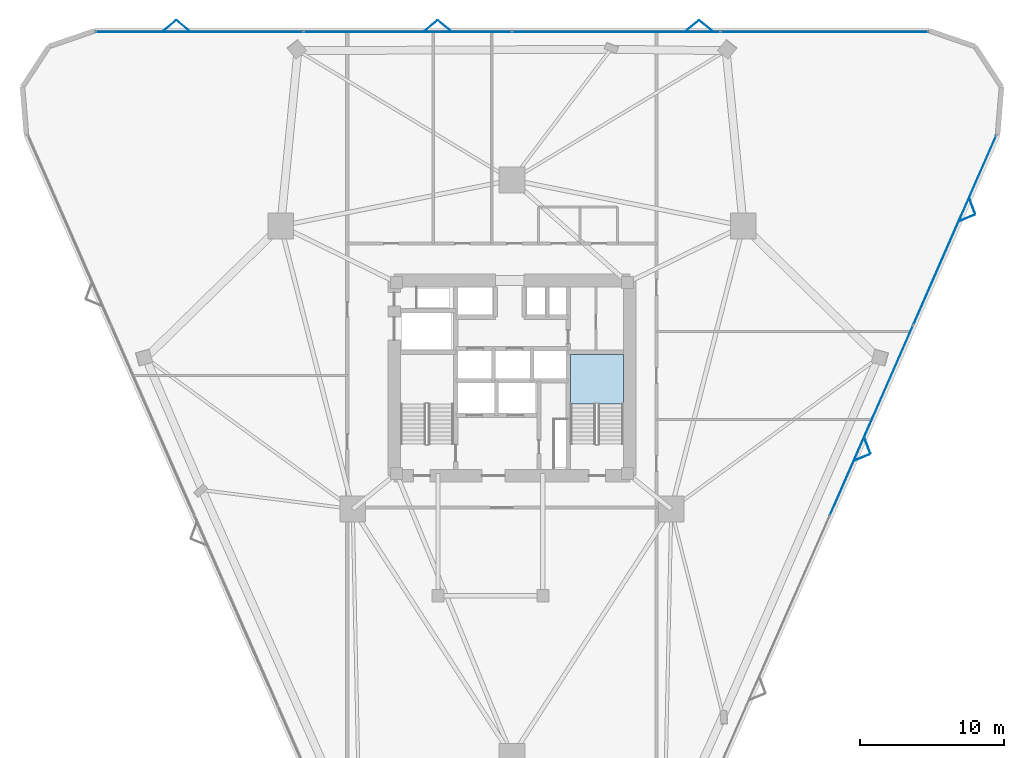
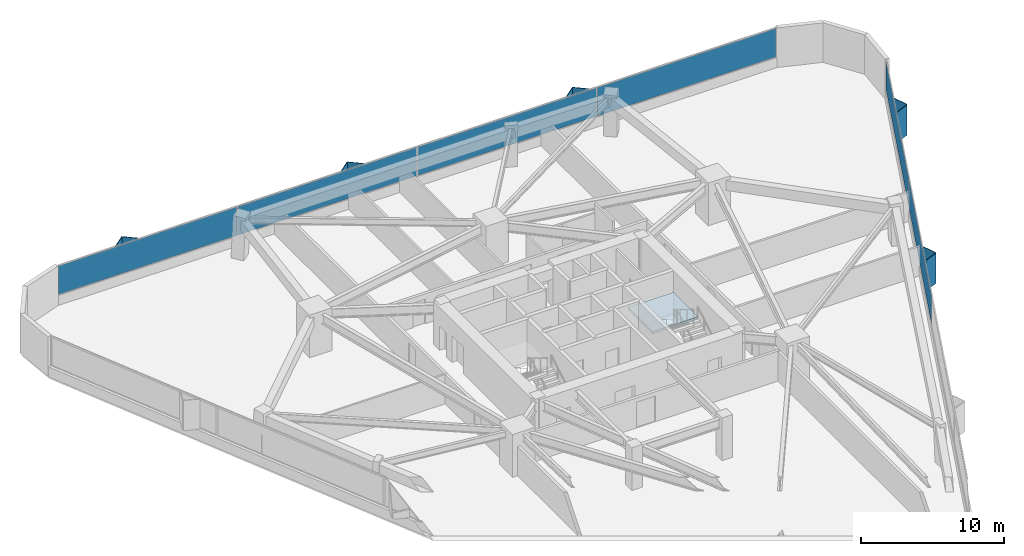
# One storey, part 16 of 20: 16 plates, 1 slab, 3 elements without a shape of their own.
"""IFC4 building model written with IfcOpenShell, lengths in metres."""

from ifc_helpers import new_model, si_unit, direction, frame, origin, origin_2d, place, context, subcontext, project, spatial, polyline, rectangle, outline, extrude, material, layer, layer_set, type_object, element, aggregate, save


model = new_model("IFC4")

# Units and contexts
model_context = context("Model", 3, precision=1e-05, world=origin(), true_north=direction((0.0, 1.0)))
body_context = subcontext(model_context, "Body", "Model", "MODEL_VIEW")
ifc_project = project(units=[si_unit("LENGTHUNIT", "METRE"), si_unit("AREAUNIT", "SQUARE_METRE"), si_unit("VOLUMEUNIT", "CUBIC_METRE"), si_unit("PLANEANGLEUNIT", "RADIAN"), si_unit("MASSUNIT", "GRAM", prefix="KILO")], contexts=[model_context])

# Site, building, storey
site_placement = place(None, origin())
site = spatial("IfcSite", under=ifc_project, at=site_placement, CompositionType="ELEMENT")
building_placement = place(site_placement, origin())
building = spatial("IfcBuilding", under=site, at=building_placement, Name="Talyreon Biosciences Tower", CompositionType="ELEMENT")
storey_placement = place(building_placement, frame((0.0, 0.0, 41.050048828125)))
storey = spatial("IfcBuildingStorey", under=building, at=storey_placement, Name="L10", CompositionType="ELEMENT", Elevation=41.050048828125)

# Curtain wall, plates
ifc_material_1 = material(Name="Thermally broken aluminium and low-E glazing", Category="aluminium")
ifc_layer_1 = layer(ifc_material_1, 0.195068359375)
ifc_layer_set_1 = layer_set([ifc_layer_1], Name="Thermally broken aluminium and low-E glazing")
curtain_wall_type = type_object("IfcCurtainWallType", Name="CurtainWall_Zone1WetLab", PredefinedType="NOTDEFINED", material=ifc_layer_set_1)
curtain_wall_1_placement = place(storey_placement, origin())
curtain_wall_1 = element("IfcCurtainWall", 1, at=curtain_wall_1_placement, inside=storey, type_object=curtain_wall_type, Name="L10 Unitised Curtain Wall FCW-L10-04", PredefinedType="NOTDEFINED")
ifc_material_2 = material(Name="Triple-silver low-E insulated glazing", Category="glass")
ifc_layer_2 = layer(ifc_material_2, 0.031982421875)
ifc_layer_set_2 = layer_set([ifc_layer_2], Name="Triple-silver low-E insulated glazing")
plate_type_1 = type_object("IfcPlateType", Name="CWGlazingPanel_32", PredefinedType="CURTAIN_PANEL", material=ifc_layer_set_2)
plate_1_placement = place(storey_placement, frame((44.231689453125, 92.107421875, 0.875), z_axis=(0.0, 0.0, 1.0), x_axis=(1.0, 0.0, 0.0)))
plate_1 = element("IfcPlate", 2, at=plate_1_placement, type_object=plate_type_1, Name="CW2 panel 1.1", PredefinedType="CURTAIN_PANEL", context=body_context, shape_type="SweptSolid", body=[
    extrude(rectangle(XDim=14.425537109375, YDim=0.031982421875, at=origin_2d()), origin(), (0.0, 0.0, 1.0), 2.43505859375),
])
plate_2_placement = place(storey_placement, frame((58.738525390625, 92.107421875, 0.875), z_axis=(0.0, 0.0, 1.0), x_axis=(1.0, 0.0, 0.0)))
plate_2 = element("IfcPlate", 3, at=plate_2_placement, type_object=plate_type_1, Name="CW2 panel 2.1", PredefinedType="CURTAIN_PANEL", context=body_context, shape_type="SweptSolid", body=[
    extrude(rectangle(XDim=14.4580078125, YDim=0.031982421875, at=origin_2d()), origin(), (0.0, 0.0, 1.0), 2.43505859375),
])
plate_3_placement = place(storey_placement, frame((73.261474609375, 92.107421875, 0.875), z_axis=(0.0, 0.0, 1.0), x_axis=(1.0, 0.0, 0.0)))
plate_3 = element("IfcPlate", 4, at=plate_3_placement, type_object=plate_type_1, Name="CW2 panel 3.1", PredefinedType="CURTAIN_PANEL", context=body_context, shape_type="SweptSolid", body=[
    extrude(rectangle(XDim=14.4580078125, YDim=0.031982421875, at=origin_2d()), origin(), (0.0, 0.0, 1.0), 2.43505859375),
])
plate_4_placement = place(storey_placement, frame((87.768310546875, 92.107421875, 0.875), z_axis=(0.0, 0.0, 1.0), x_axis=(1.0, 0.0, 0.0)))
plate_4 = element("IfcPlate", 5, at=plate_4_placement, type_object=plate_type_1, Name="CW2 panel 4.1", PredefinedType="CURTAIN_PANEL", context=body_context, shape_type="SweptSolid", body=[
    extrude(rectangle(XDim=14.425537109375, YDim=0.031982421875, at=origin_2d()), origin(), (0.0, 0.0, 1.0), 2.43505859375),
])
aggregate(curtain_wall_1, [plate_1, plate_2, plate_3, plate_4])

curtain_wall_2_placement = place(storey_placement, origin())
curtain_wall_2 = element("IfcCurtainWall", 6, at=curtain_wall_2_placement, inside=storey, type_object=curtain_wall_type, Name="L10 Unitised Curtain Wall FCW-L10-08", PredefinedType="NOTDEFINED")
plate_5_placement = place(storey_placement, frame((96.82470703125, 78.287109375, 0.875), z_axis=(0.0, 0.0, 1.0), x_axis=(-0.401222995321, -0.915980408101, 0.0)))
plate_5 = element("IfcPlate", 7, at=plate_5_placement, type_object=plate_type_1, Name="CW2 panel 1.1", PredefinedType="CURTAIN_PANEL", context=body_context, shape_type="SweptSolid", body=[
    extrude(rectangle(XDim=14.38134765625, YDim=0.031982421875, at=origin_2d()), origin(), (0.0, 0.0, 1.0), 2.43505859375),
])
plate_6_placement = place(storey_placement, frame((91.02197265625, 65.039794921875, 0.875), z_axis=(0.0, 0.0, 1.0), x_axis=(-0.401222995321, -0.915980408101, 0.0)))
plate_6 = element("IfcPlate", 8, at=plate_6_placement, type_object=plate_type_1, Name="CW2 panel 2.1", PredefinedType="CURTAIN_PANEL", context=body_context, shape_type="SweptSolid", body=[
    extrude(rectangle(XDim=14.413818359375, YDim=0.031982421875, at=origin_2d()), origin(), (0.0, 0.0, 1.0), 2.43505859375),
])
aggregate(curtain_wall_2, [plate_5, plate_6])

# Plates
ifc_material_3 = material(Name="Ivory GFRC sunshade panel", Category="concrete")
ifc_layer_3 = layer(ifc_material_3, 0.044921875)
ifc_layer_set_3 = layer_set([ifc_layer_3], Name="Ivory GFRC sunshade panel")
plate_type_2 = type_object("IfcPlateType", Name="FoldedVSunshade_NorthFace_SUNSHADE", PredefinedType="USERDEFINED", material=ifc_layer_set_3)
for number, where, z_axis, x_axis, name in (
    (9, (42.173828125, 92.547607421875, 0.7900390625), (0.0, 0.0, 1.0), (0.771624583388, 0.636078220278, 0.0), "L10 Folded V-Sunshade Panel 04.01L"),
    (10, (43.073974609375, 92.547607421875, 0.7900390625), (0.0, 0.0, 1.0), (0.771624583388, -0.636078220278, 0.0), "L10 Folded V-Sunshade Panel 04.01R"),
    (11, (60.373779296875, 92.547607421875, 0.7900390625), (0.0, 0.0, 1.0), (0.771624583388, 0.636078220278, 0.0), "L10 Folded V-Sunshade Panel 04.02L"),
    (12, (61.27392578125, 92.547607421875, 0.7900390625), (0.0, 0.0, 1.0), (0.771624583388, -0.636078220278, 0.0), "L10 Folded V-Sunshade Panel 04.02R"),
    (13, (78.573974609375, 92.547607421875, 0.7900390625), (0.0, 0.0, 1.0), (0.771624583388, 0.636078220278, 0.0), "L10 Folded V-Sunshade Panel 04.03L"),
    (14, (79.473876953125, 92.547607421875, 0.7900390625), (0.0, 0.0, 1.0), (0.771624583388, -0.636078220278, 0.0), "L10 Folded V-Sunshade Panel 04.03R"),
):
    element("IfcPlate", number, at=place(storey_placement, frame(where, z_axis=z_axis, x_axis=x_axis)), inside=storey, type_object=plate_type_2, Name=name, ObjectType="SUNSHADE", PredefinedType="USERDEFINED", context=body_context, shape_type="SweptSolid", body=[
        extrude(rectangle(XDim=1.14990234375, YDim=0.044921875, at=origin_2d()), origin(), (0.0, 0.0, 1.0), 2.5849609375),
    ])
ifc_layer_4 = layer(ifc_material_3, 0.044921875)
ifc_layer_set_4 = layer_set([ifc_layer_4], Name="Ivory GFRC sunshade panel")
plate_type_3 = type_object("IfcPlateType", Name="FoldedVSunshade_SunFace_SUNSHADE", PredefinedType="USERDEFINED", material=ifc_layer_set_4)
for number, where, z_axis, x_axis, name in (
    (15, (98.044677734375, 79.97509765625, 0.7900390625), (0.0, 0.0, 1.0), (0.347672160741, -0.937616162748, 0.0), "L10 Folded V-Sunshade Panel 08.01L"),
    (16, (97.68359375, 79.15087890625, 0.7900390625), (0.0, 0.0, 1.0), (-0.924911408888, -0.380182700434, 0.0), "L10 Folded V-Sunshade Panel 08.01R"),
    (17, (90.7421875, 63.304443359375, 0.7900390625), (0.0, 0.0, 1.0), (0.347672160741, -0.937616162748, 0.0), "L10 Folded V-Sunshade Panel 08.02L"),
    (18, (90.381103515625, 62.47998046875, 0.7900390625), (0.0, 0.0, 1.0), (-0.924911408888, -0.380182700434, 0.0), "L10 Folded V-Sunshade Panel 08.02R"),
):
    element("IfcPlate", number, at=place(storey_placement, frame(where, z_axis=z_axis, x_axis=x_axis)), inside=storey, type_object=plate_type_3, Name=name, ObjectType="SUNSHADE", PredefinedType="USERDEFINED", context=body_context, shape_type="SweptSolid", body=[
        extrude(rectangle(XDim=1.14990234375, YDim=0.044921875, at=origin_2d()), origin(), (0.0, 0.0, 1.0), 2.5849609375),
    ])

# Stair, slab
ifc_material_4 = material(Name="Concrete C40/50", Category="concrete")
stair_type = type_object("IfcStairType", Name="DoglegEscapeStair_3650", PredefinedType="HALF_TURN_STAIR", material=ifc_material_4)
stair_placement = place(storey_placement, origin())
stair = element("IfcStair", 19, at=stair_placement, inside=storey, type_object=stair_type, Name="L10 Core Escape Stair 2", PredefinedType="HALF_TURN_STAIR")
ifc_layer_5 = layer(ifc_material_4, 0.199951171875)
ifc_layer_set_5 = layer_set([ifc_layer_5], Name="Concrete C40/50")
slab_type = type_object("IfcSlabType", Name="StairLandingSlab_200", PredefinedType="LANDING", material=ifc_layer_set_5)
slab_placement = place(storey_placement, frame((0.0, 0.0, 1.625)))
slab = element("IfcSlab", 20, at=slab_placement, type_object=slab_type, Name="ST-2 landing 1", PredefinedType="LANDING", context=body_context, shape_type="SweptSolid", body=[
    extrude(outline(polyline([(73.75, 66.199951171875), (73.75, 69.64990234375), (70.070068359375, 69.64990234375), (70.070068359375, 66.199951171875), (73.75, 66.199951171875)])), origin(), (0.0, 0.0, 1.0), 0.199951171875),
])
aggregate(stair, [slab])

save(model, "model.ifc")
